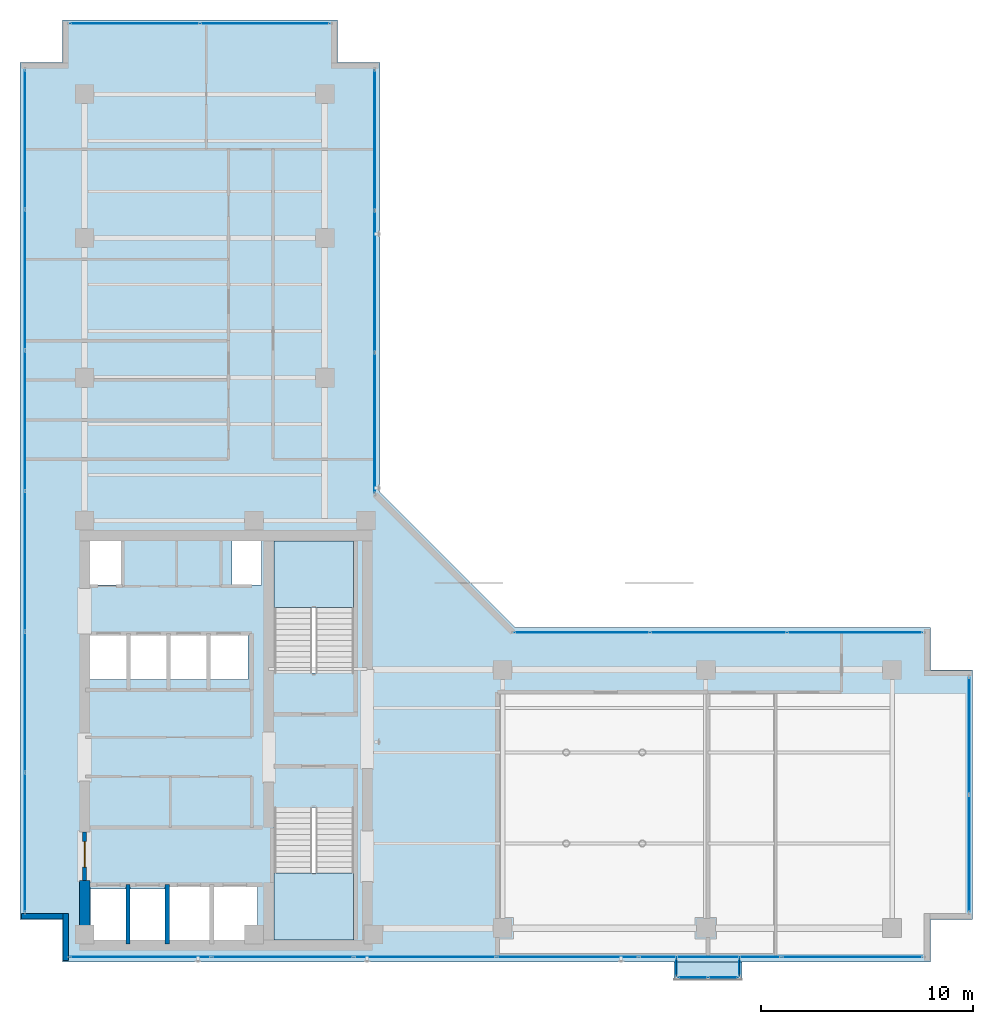
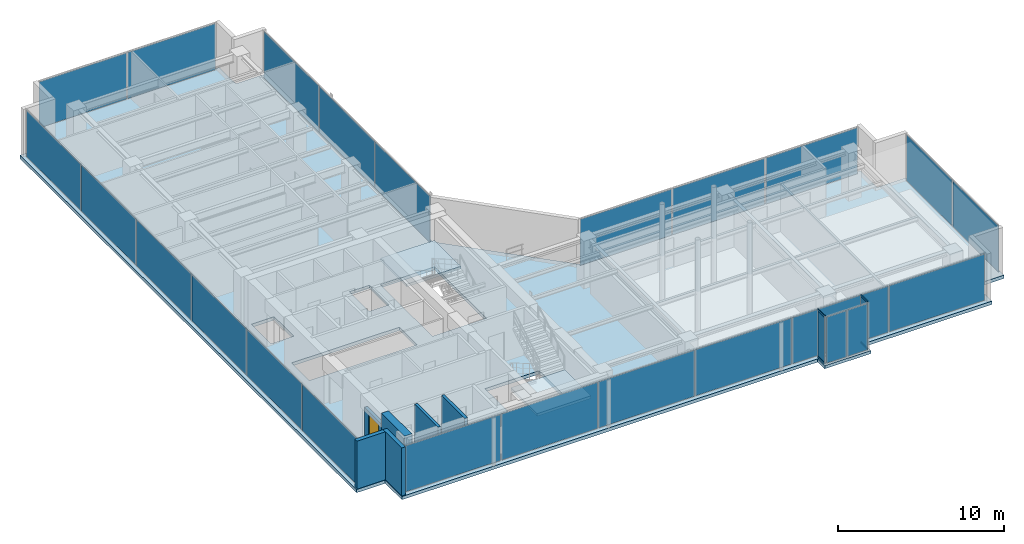
# One storey, part 24 of 32: 26 plates, 6 walls, 4 members, 4 slabs, 1 door, 1 opening, 11 elements without a shape of their own.
"""IFC4 building model written with IfcOpenShell, lengths in metres."""

import ifcopenshell
import ifcopenshell.guid

model = None  # the IFC model being written
_history = None  # IfcOwnerHistory: only IFC2X3 demands one
_inside = {}  # id of a spatial element -> (the spatial element, [elements in it])
_under = {}  # id of a project, library or spatial element -> (it, [spatial elements below it])
_declared = {}  # id of a project -> (the project, [libraries it declares])
_typed = {}  # id of a type object -> (the type object, [elements of that type])
_made_of = {}  # id of a material, layer set ... -> (it, [elements and type objects made of it])


def new_model(schema):
    """Start an empty IFC model of exactly this schema.

    Asked for "IFC4X3", IfcOpenShell would pick the latest addendum, in which some entities
    have other attributes; the version numbers below select the first issue.
    IFC2X3 requires an IfcOwnerHistory on every rooted entity: one is made here for all.
    """
    global model, _history
    if schema == "IFC4X3":
        model = ifcopenshell.file(schema_version=(4, 3, 0, 0))
    else:
        model = ifcopenshell.file(schema=schema)
    _inside.clear()
    _under.clear()
    _declared.clear()
    _typed.clear()
    _made_of.clear()
    _history = None
    if model.schema == "IFC2X3":
        org = make("IfcOrganization", Name="unknown")
        user = make(
            "IfcPersonAndOrganization",
            ThePerson=make("IfcPerson", FamilyName="unknown"),
            TheOrganization=org,
        )
        app = make(
            "IfcApplication",
            ApplicationDeveloper=org,
            Version="unknown",
            ApplicationFullName="unknown",
            ApplicationIdentifier="unknown",
        )
        _history = make(
            "IfcOwnerHistory",
            OwningUser=user,
            OwningApplication=app,
            ChangeAction="ADDED",
            CreationDate=0,
        )
    return model


def make(cls, **values):
    """One entity of the class cls with the attributes given. An attribute that is None is left unset."""
    return model.create_entity(
        cls, **{name: value for name, value in values.items() if value is not None}
    )


def rooted(cls, **values):
    """An entity with a GlobalId (a new one), such as an element, a storey or a relation."""
    return make(cls, GlobalId=ifcopenshell.guid.new(), OwnerHistory=_history, **values)


def si_unit(unit_type, name, prefix=None):
    """IfcSIUnit, for example si_unit("LENGTHUNIT", "METRE", prefix="MILLI")."""
    return make("IfcSIUnit", UnitType=unit_type, Prefix=prefix, Name=name)


def assignment(units):
    """IfcUnitAssignment: the units of a project."""
    return None if units is None else make("IfcUnitAssignment", Units=units)


def point(xyz):
    """IfcCartesianPoint."""
    return None if xyz is None else make("IfcCartesianPoint", Coordinates=xyz)


def direction(xyz):
    """IfcDirection."""
    return None if xyz is None else make("IfcDirection", DirectionRatios=xyz)


def frame(location, z_axis=None, x_axis=None):
    """IfcAxis2Placement3D, a coordinate frame: its origin and axes. An axis left out is left unset."""
    return make(
        "IfcAxis2Placement3D",
        Location=point(location),
        Axis=direction(z_axis),
        RefDirection=direction(x_axis),
    )


def frame_2d(location, x_axis=None):
    """IfcAxis2Placement2D, a coordinate frame in the plane: its origin and x axis."""
    return make(
        "IfcAxis2Placement2D", Location=point(location), RefDirection=direction(x_axis)
    )


def origin():
    """The frame at (0, 0, 0) with its axes left unset."""
    return frame((0.0, 0.0, 0.0))


def origin_with_axes():
    """The frame at (0, 0, 0) with the z axis (0, 0, 1) and the x axis (1, 0, 0) written out."""
    return frame((0.0, 0.0, 0.0), z_axis=(0.0, 0.0, 1.0), x_axis=(1.0, 0.0, 0.0))


def origin_2d():
    """The frame at (0, 0) in the plane with its x axis left unset."""
    return frame_2d((0.0, 0.0))


def place(relative_to, where):
    """IfcLocalPlacement: puts the frame where relative to a parent placement (None: the world)."""
    return make(
        "IfcLocalPlacement", PlacementRelTo=relative_to, RelativePlacement=where
    )


def context(
    kind, dimensions, precision=None, world=None, true_north=None, identifier=None
):
    """IfcGeometricRepresentationContext, for example the 3D "Model" context."""
    return make(
        "IfcGeometricRepresentationContext",
        ContextIdentifier=identifier,
        ContextType=kind,
        CoordinateSpaceDimension=dimensions,
        Precision=precision,
        WorldCoordinateSystem=world,
        TrueNorth=true_north,
    )


def subcontext(parent, identifier, kind, view, scale=None):
    """IfcGeometricRepresentationSubContext, for example "Body" below "Model"."""
    return make(
        "IfcGeometricRepresentationSubContext",
        ContextIdentifier=identifier,
        ContextType=kind,
        ParentContext=parent,
        TargetScale=scale,
        TargetView=view,
    )


def project(units=None, contexts=None):
    """IfcProject with its units and contexts."""
    return rooted(
        "IfcProject",
        Name="project",
        RepresentationContexts=contexts,
        UnitsInContext=assignment(units),
    )


def spatial(cls, under=None, at=None, **own):
    """A site, building, storey or space (cls), placed at a placement, below another one or the project."""
    s = rooted(cls, ObjectPlacement=at, **own)
    if under is not None:
        _under.setdefault(under.id(), (under, []))[1].append(s)
    return s


def polyline(points):
    """IfcPolyline through the points."""
    return make("IfcPolyline", Points=[point(p) for p in points])


def profile(cls, at=None, kind="AREA", **sizes):
    """A parametric profile (cls). Its sizes go by their IFC names, for example OverallWidth=200.0."""
    return make(cls, ProfileType=kind, Position=at, **sizes)


def rectangle(**sizes):
    """IfcRectangleProfileDef."""
    return profile("IfcRectangleProfileDef", **sizes)


def hollow_rectangle(**sizes):
    """IfcRectangleHollowProfileDef."""
    return profile("IfcRectangleHollowProfileDef", **sizes)


def outline(outer, holes=None, kind="AREA"):
    """IfcArbitraryClosedProfileDef: a profile drawn as a closed curve; with holes, ...WithVoids."""
    if holes is None:
        return make("IfcArbitraryClosedProfileDef", ProfileType=kind, OuterCurve=outer)
    return make(
        "IfcArbitraryProfileDefWithVoids",
        ProfileType=kind,
        OuterCurve=outer,
        InnerCurves=holes,
    )


def extrude(swept, where, along, depth):
    """IfcExtrudedAreaSolid: the profile swept, set in the frame where, extruded along a direction by depth."""
    return make(
        "IfcExtrudedAreaSolid",
        SweptArea=swept,
        Position=where,
        ExtrudedDirection=direction(along),
        Depth=depth,
    )


def shape(context_of_items, identifier, shape_type, items):
    """IfcShapeRepresentation: the items that make up one representation, for example the "Body"."""
    return make(
        "IfcShapeRepresentation",
        ContextOfItems=context_of_items,
        RepresentationIdentifier=identifier,
        RepresentationType=shape_type,
        Items=items,
    )


def source(mapping_origin, context_of_items, identifier, shape_type, items):
    """IfcRepresentationMap: a shape defined once, which mapped items show again and again."""
    return make(
        "IfcRepresentationMap",
        MappingOrigin=mapping_origin,
        MappedRepresentation=shape(context_of_items, identifier, shape_type, items),
    )


def transform(
    local_origin,
    x_axis=None,
    y_axis=None,
    z_axis=None,
    scale=None,
    scale2=None,
    scale3=None,
    uniform=True,
):
    """IfcCartesianTransformationOperator3D, or its non-uniform kind. x_axis, y_axis, z_axis: its Axis1, 2, 3."""
    if uniform:
        return make(
            "IfcCartesianTransformationOperator3D",
            Axis1=direction(x_axis),
            Axis2=direction(y_axis),
            LocalOrigin=point(local_origin),
            Scale=scale,
            Axis3=direction(z_axis),
        )
    return make(
        "IfcCartesianTransformationOperator3DnonUniform",
        Axis1=direction(x_axis),
        Axis2=direction(y_axis),
        LocalOrigin=point(local_origin),
        Scale=scale,
        Axis3=direction(z_axis),
        Scale2=scale2,
        Scale3=scale3,
    )


def mapped(mapping_source, mapping_target):
    """IfcMappedItem: shows the shape of a source again, moved by a transform."""
    return make(
        "IfcMappedItem", MappingSource=mapping_source, MappingTarget=mapping_target
    )


def material(Name=None, Category=None):
    """IfcMaterial."""
    return make("IfcMaterial", Name=Name, Category=Category)


def layer(
    of_material, thickness, ventilated=None, Name=None, Category=None, Priority=None
):
    """IfcMaterialLayer: one layer of a wall or slab, of a material (None: an air gap)."""
    return make(
        "IfcMaterialLayer",
        Material=of_material,
        LayerThickness=thickness,
        IsVentilated=ventilated,
        Name=Name,
        Category=Category,
        Priority=Priority,
    )


def layer_set(layers, Name=None):
    """IfcMaterialLayerSet."""
    return make("IfcMaterialLayerSet", MaterialLayers=layers, LayerSetName=Name)


def material_profile(
    of_material, cross_section, Name=None, Category=None, Priority=None
):
    """IfcMaterialProfile: a cross section and its material."""
    return make(
        "IfcMaterialProfile",
        Name=Name,
        Material=of_material,
        Profile=cross_section,
        Priority=Priority,
        Category=Category,
    )


def profile_set(profiles, Name=None, composite=None):
    """IfcMaterialProfileSet."""
    return make(
        "IfcMaterialProfileSet",
        Name=Name,
        MaterialProfiles=profiles,
        CompositeProfile=composite,
    )


def made_of(thing, what):
    """Note that an element or type object is made of a material, layer set ...; save() writes the relation."""
    if what is not None:
        _made_of.setdefault(what.id(), (what, []))[1].append(thing)
    return thing


def type_object(cls, material=None, **own):
    """A type object (cls), such as IfcWallType, which elements share."""
    return made_of(rooted(cls, **own), material)


def element(
    cls,
    number,
    at=None,
    inside=None,
    cuts=None,
    type_object=None,
    material=None,
    context=None,
    identifier="Body",
    shape_type=None,
    held_by="IfcProductDefinitionShape",
    body=None,
    shapes=None,
    **own,
):
    """One element of the class cls, such as IfcWall. Its Tag is "e" and its number.

    at: its placement. inside: the storey or other place that contains it. cuts: it is an
    opening in that element (IfcRelVoidsElement). A single representation is given by context,
    identifier, shape_type and body (its items); several are given by shapes. held_by: the class
    of the entity that holds the representations. save() writes the other relations.
    """
    e = rooted(cls, Tag="e%d" % number, ObjectPlacement=at, **own)
    if body is not None:
        shapes = [shape(context, identifier, shape_type, body)]
    if shapes is not None:
        e.Representation = make(held_by, Representations=shapes)
    if inside is not None:
        _inside.setdefault(inside.id(), (inside, []))[1].append(e)
    if cuts is not None:
        rooted(
            "IfcRelVoidsElement", RelatingBuildingElement=cuts, RelatedOpeningElement=e
        )
    if type_object is not None:
        _typed.setdefault(type_object.id(), (type_object, []))[1].append(e)
    return made_of(e, material)


def fill(opening, filler):
    """IfcRelFillsElement: the door or window that sits in an opening."""
    return rooted(
        "IfcRelFillsElement",
        RelatingOpeningElement=opening,
        RelatedBuildingElement=filler,
    )


def aggregate(whole, parts):
    """IfcRelAggregates: a whole, such as a stair, and the parts it consists of."""
    return rooted("IfcRelAggregates", RelatingObject=whole, RelatedObjects=parts)


def save(model, path):
    """Write the relations noted so far, then the file.

    IfcRelAggregates (storeys below a building ...), IfcRelContainedInSpatialStructure (elements
    in a storey), IfcRelDefinesByType, IfcRelAssociatesMaterial and IfcRelDeclares: one each for
    every whole, place, type object, material and project.
    """
    for whole, parts in _under.values():
        aggregate(whole, parts)
    for where, things in _inside.values():
        rooted(
            "IfcRelContainedInSpatialStructure",
            RelatedElements=things,
            RelatingStructure=where,
        )
    for kind, things in _typed.values():
        rooted("IfcRelDefinesByType", RelatedObjects=things, RelatingType=kind)
    for what, things in _made_of.values():
        rooted("IfcRelAssociatesMaterial", RelatedObjects=things, RelatingMaterial=what)
    for by, libraries in _declared.values():
        rooted("IfcRelDeclares", RelatingContext=by, RelatedDefinitions=libraries)
    model.write(path)


model = new_model("IFC4")

# Units and contexts
model_context = context("Model", 3, precision=1e-05, world=origin(), true_north=direction((0.0, 1.0)))
body_context = subcontext(model_context, "Body", "Model", "MODEL_VIEW")
ifc_project = project(units=[si_unit("LENGTHUNIT", "METRE"), si_unit("AREAUNIT", "SQUARE_METRE"), si_unit("VOLUMEUNIT", "CUBIC_METRE"), si_unit("PLANEANGLEUNIT", "RADIAN"), si_unit("MASSUNIT", "GRAM", prefix="KILO")], contexts=[model_context])

# Site, building, storey
site_placement = place(None, origin())
site = spatial("IfcSite", under=ifc_project, at=site_placement, CompositionType="ELEMENT")
building_placement = place(site_placement, origin())
building = spatial("IfcBuilding", under=site, at=building_placement, Name="Kolvaren Waterfront Exchange", CompositionType="ELEMENT")
storey_placement = place(building_placement, frame((0.0, 0.0, 348.10009765625)))
storey = spatial("IfcBuildingStorey", under=building, at=storey_placement, Name="L89", CompositionType="ELEMENT", Elevation=348.10009765625)

# Curtain wall, members
ifc_material_1 = material(Name="Anodised bronze aluminium 6063-T6", Category="aluminium")
ifc_layer_1 = layer(ifc_material_1, 0.219970703125, Name="Anodised bronze aluminium 6063-T6")
ifc_layer_set_1 = layer_set([ifc_layer_1], Name="Anodised bronze aluminium 6063-T6")
curtain_wall_type_1 = type_object("IfcCurtainWallType", Name="ARC-CW-SYS3", PredefinedType="USERDEFINED", material=ifc_layer_set_1)
curtain_wall_1_placement = place(storey_placement, origin())
curtain_wall_1 = element("IfcCurtainWall", 1, at=curtain_wall_1_placement, inside=storey, type_object=curtain_wall_type_1, Name="L89 stick curtain wall CW3 (CW-L89-BOX-W)", ObjectType="STICK CURTAIN WALL", PredefinedType="USERDEFINED")
ifc_material_profile = material_profile(ifc_material_1, hollow_rectangle(XDim=0.06494140625, YDim=0.1298828125, WallThickness=0.00390625, at=origin_2d()), Name="ALU-TRN-130x65x4")
ifc_profile_set = profile_set([ifc_material_profile], Name="Anodised bronze aluminium 6063-T6")
member_type = type_object("IfcMemberType", Name="ARC-CWT-130", PredefinedType="USERDEFINED", material=ifc_profile_set)
shared_shape_1 = source(origin_with_axes(), body_context, "Body", "SweptSolid", [
    extrude(hollow_rectangle(XDim=0.06494140625, YDim=0.1298828125, WallThickness=0.00390625, at=origin_2d()), origin(), (0.0, 0.0, 1.0), 0.829833984375),
])
member_1_placement = place(storey_placement, frame((35.409912109375, 3.764892578125, 0.032470703125), z_axis=(0.0, -1.0, 0.0), x_axis=(1.0, 0.0, 0.0)))
member_1 = element("IfcMember", 2, at=member_1_placement, type_object=member_type, Name="CW3 transom 1.1", ObjectType="TRANSOM", PredefinedType="USERDEFINED", context=body_context, shape_type="MappedRepresentation", body=[
    mapped(shared_shape_1, transform((0.0, 0.0, 0.0), x_axis=(1.0, 0.0, 0.0), y_axis=(0.0, 1.0, 0.0), z_axis=(0.0, 0.0, 1.0), scale=1.0)),
])
member_2_placement = place(storey_placement, frame((35.409912109375, 3.764892578125, 3.4873046875), z_axis=(0.0, -1.0, 0.0), x_axis=(1.0, 0.0, 0.0)))
member_2 = element("IfcMember", 3, at=member_2_placement, type_object=member_type, Name="CW3 transom 1.2", ObjectType="TRANSOM", PredefinedType="USERDEFINED", context=body_context, shape_type="MappedRepresentation", body=[
    mapped(shared_shape_1, transform((0.0, 0.0, 0.0), x_axis=(1.0, 0.0, 0.0), y_axis=(0.0, 1.0, 0.0), z_axis=(0.0, 0.0, 1.0), scale=1.0)),
])

curtain_wall_2_placement = place(storey_placement, origin())
curtain_wall_2 = element("IfcCurtainWall", 4, at=curtain_wall_2_placement, inside=storey, type_object=curtain_wall_type_1, Name="L89 stick curtain wall CW3 (CW-L89-BOX-E)", ObjectType="STICK CURTAIN WALL", PredefinedType="USERDEFINED")
member_3_placement = place(storey_placement, frame((38.389892578125, 2.93505859375, 0.032470703125), z_axis=(0.0, 1.0, 0.0), x_axis=(-1.0, 0.0, 0.0)))
member_3 = element("IfcMember", 5, at=member_3_placement, type_object=member_type, Name="CW3 transom 1.1", ObjectType="TRANSOM", PredefinedType="USERDEFINED", context=body_context, shape_type="MappedRepresentation", body=[
    mapped(shared_shape_1, transform((0.0, 0.0, 0.0), x_axis=(1.0, 0.0, 0.0), y_axis=(0.0, 1.0, 0.0), z_axis=(0.0, 0.0, 1.0), scale=1.0)),
])
member_4_placement = place(storey_placement, frame((38.389892578125, 2.93505859375, 3.4873046875), z_axis=(0.0, 1.0, 0.0), x_axis=(-1.0, 0.0, 0.0)))
member_4 = element("IfcMember", 6, at=member_4_placement, type_object=member_type, Name="CW3 transom 1.2", ObjectType="TRANSOM", PredefinedType="USERDEFINED", context=body_context, shape_type="MappedRepresentation", body=[
    mapped(shared_shape_1, transform((0.0, 0.0, 0.0), x_axis=(1.0, 0.0, 0.0), y_axis=(0.0, 1.0, 0.0), z_axis=(0.0, 0.0, 1.0), scale=1.0)),
])

# Stair, slab
ifc_material_2 = material(Name="Concrete C40/50", Category="concrete")
stair_type = type_object("IfcStairType", Name="ARC-STAIR-3900", PredefinedType="HALF_TURN_STAIR", material=ifc_material_2)
stair_1_placement = place(storey_placement, origin())
stair_1 = element("IfcStair", 7, at=stair_1_placement, inside=storey, type_object=stair_type, Name="L89 Smoke-proof exit stair ST1", PredefinedType="HALF_TURN_STAIR")
ifc_layer_2 = layer(ifc_material_2, 0.199951171875, Name="Concrete C40/50")
ifc_layer_set_2 = layer_set([ifc_layer_2], Name="Concrete C40/50")
slab_type_1 = type_object("IfcSlabType", Name="STR-LANDING-200", PredefinedType="LANDING", material=ifc_layer_set_2)
slab_1_placement = place(storey_placement, frame((0.0, 0.0, 1.75)))
slab_1 = element("IfcSlab", 8, at=slab_1_placement, type_object=slab_type_1, Name="ST1 landing 1", PredefinedType="LANDING", context=body_context, shape_type="SweptSolid", body=[
    extrude(outline(polyline([(16.39990234375, 7.81005859375), (16.39990234375, 4.64990234375), (20.159912109375, 4.64990234375), (20.159912109375, 7.81005859375), (16.39990234375, 7.81005859375)])), origin(), (0.0, 0.0, 1.0), 0.199951171875),
])
aggregate(stair_1, [slab_1])

stair_2_placement = place(storey_placement, origin())
stair_2 = element("IfcStair", 9, at=stair_2_placement, inside=storey, type_object=stair_type, Name="L89 Smoke-proof exit stair ST2", PredefinedType="HALF_TURN_STAIR")
slab_2_placement = place(storey_placement, frame((0.0, 0.0, 1.75)))
slab_2 = element("IfcSlab", 10, at=slab_2_placement, type_object=slab_type_1, Name="ST2 landing 1", PredefinedType="LANDING", context=body_context, shape_type="SweptSolid", body=[
    extrude(outline(polyline([(20.159912109375, 20.340087890625), (20.159912109375, 23.5), (16.39990234375, 23.5), (16.39990234375, 20.340087890625), (20.159912109375, 20.340087890625)])), origin(), (0.0, 0.0, 1.0), 0.199951171875),
])
aggregate(stair_2, [slab_2])

# Slabs
ifc_layer_3 = layer(ifc_material_2, 0.239990234375, Name="Concrete C40/50")
ifc_layer_set_3 = layer_set([ifc_layer_3], Name="Concrete C40/50")
slab_type_2 = type_object("IfcSlabType", Name="STR-SLAB-240", PredefinedType="FLOOR", material=ifc_layer_set_3)
slab_3_placement = place(storey_placement, frame((0.0, 0.0, -0.239990234375)))
element("IfcSlab", 11, at=slab_3_placement, inside=storey, type_object=slab_type_2, Name="L89 structural floor slab", PredefinedType="FLOOR", context=body_context, shape_type="SweptSolid", body=[
    extrude(outline(polyline([(6.39990234375, 3.60009765625), (47.39990234375, 3.60009765625), (47.39990234375, 5.60009765625), (49.39990234375, 5.60009765625), (49.39990234375, 17.39990234375), (47.39990234375, 17.39990234375), (47.39990234375, 19.39990234375), (27.800048828125, 19.39990234375), (21.39990234375, 25.800048828125), (21.39990234375, 46.10009765625), (19.39990234375, 46.10009765625), (19.39990234375, 48.10009765625), (6.39990234375, 48.10009765625), (6.39990234375, 46.10009765625), (4.39990234375, 46.10009765625), (4.39990234375, 5.60009765625), (6.39990234375, 5.60009765625), (6.39990234375, 3.60009765625)]), holes=[polyline([(11.320068359375, 7.260009765625), (15.610107421875, 7.260009765625), (15.610107421875, 4.5400390625), (7.719970703125, 4.5400390625), (7.719970703125, 7.06005859375), (11.320068359375, 7.06005859375), (11.320068359375, 7.260009765625)]), polyline([(20.159912109375, 10.89990234375), (20.159912109375, 4.64990234375), (16.39990234375, 4.64990234375), (16.39990234375, 10.89990234375), (20.159912109375, 10.89990234375)]), polyline([(7.669921875, 19.06005859375), (15.159912109375, 19.06005859375), (15.159912109375, 16.93994140625), (7.669921875, 16.93994140625), (7.669921875, 19.06005859375)]), polyline([(16.39990234375, 17.25), (16.39990234375, 23.5), (20.159912109375, 23.5), (20.159912109375, 17.25), (16.39990234375, 17.25)]), polyline([(7.60009765625, 23.780029296875), (9.179931640625, 23.780029296875), (9.179931640625, 21.419921875), (7.60009765625, 21.419921875), (7.60009765625, 23.780029296875)]), polyline([(14.419921875, 23.780029296875), (15.800048828125, 23.780029296875), (15.800048828125, 21.419921875), (14.419921875, 21.419921875), (14.419921875, 23.780029296875)])]), origin(), (0.0, 0.0, 1.0), 0.239990234375),
])
ifc_layer_4 = layer(ifc_material_2, 0.219970703125, Name="Concrete C40/50")
ifc_layer_set_4 = layer_set([ifc_layer_4], Name="Concrete C40/50")
slab_type_3 = type_object("IfcSlabType", Name="STR-TERR-220", PredefinedType="FLOOR", material=ifc_layer_set_4)
slab_4_placement = place(storey_placement, frame((0.0, 0.0, -0.22021484375)))
element("IfcSlab", 12, at=slab_4_placement, inside=storey, type_object=slab_type_3, Name="L89 projecting bay-box floor strip", PredefinedType="FLOOR", context=body_context, shape_type="SweptSolid", body=[
    extrude(outline(polyline([(35.300048828125, 2.75), (38.5, 2.75), (38.5, 3.60009765625), (35.300048828125, 3.60009765625), (35.300048828125, 2.75)])), origin(), (0.0, 0.0, 1.0), 0.22021484375),
])

# Plate
ifc_material_3 = material(Name="Bronze tinted bay-box vision glass", Category="aluminium")
ifc_layer_5 = layer(ifc_material_3, 0.02392578125, Name="Bronze tinted bay-box vision glass")
ifc_layer_set_5 = layer_set([ifc_layer_5], Name="Bronze tinted bay-box vision glass")
plate_type_1 = type_object("IfcPlateType", Name="ARC-CWP-24", PredefinedType="CURTAIN_PANEL", material=ifc_layer_set_5)
shared_shape_2 = source(origin_with_axes(), body_context, "Body", "SweptSolid", [
    extrude(rectangle(XDim=0.830078125, YDim=0.02392578125, at=origin_2d()), origin(), (0.0, 0.0, 1.0), 3.389892578125),
])
plate_1_placement = place(storey_placement, frame((35.409912109375, 3.35009765625, 0.06494140625), z_axis=(0.0, 0.0, 1.0), x_axis=(0.0, -1.0, 0.0)))
plate_1 = element("IfcPlate", 13, at=plate_1_placement, type_object=plate_type_1, Name="CW3 panel 1.1", PredefinedType="CURTAIN_PANEL", context=body_context, shape_type="MappedRepresentation", body=[
    mapped(shared_shape_2, transform((0.0, 0.0, 0.0), x_axis=(1.0, 0.0, 0.0), y_axis=(0.0, 1.0, 0.0), z_axis=(0.0, 0.0, 1.0), scale=1.0)),
])

aggregate(curtain_wall_1, [member_1, member_2, plate_1])

plate_2_placement = place(storey_placement, frame((38.389892578125, 3.35009765625, 0.06494140625), z_axis=(0.0, 0.0, 1.0), x_axis=(0.0, 1.0, 0.0)))
plate_2 = element("IfcPlate", 14, at=plate_2_placement, type_object=plate_type_1, Name="CW3 panel 1.1", PredefinedType="CURTAIN_PANEL", context=body_context, shape_type="MappedRepresentation", body=[
    mapped(shared_shape_2, transform((0.0, 0.0, 0.0), x_axis=(1.0, 0.0, 0.0), y_axis=(0.0, 1.0, 0.0), z_axis=(0.0, 0.0, 1.0), scale=1.0)),
])

aggregate(curtain_wall_2, [member_3, member_4, plate_2])

# Curtain wall, plates
curtain_wall_3_placement = place(storey_placement, origin())
curtain_wall_3 = element("IfcCurtainWall", 15, at=curtain_wall_3_placement, inside=storey, type_object=curtain_wall_type_1, Name="L89 stick curtain wall CW3 (CW-L89-BOX)", ObjectType="STICK CURTAIN WALL", PredefinedType="USERDEFINED")
shared_shape_3 = source(origin_with_axes(), body_context, "Body", "SweptSolid", [
    extrude(rectangle(XDim=1.37744140625, YDim=0.02392578125, at=origin_2d()), origin(), (0.0, 0.0, 1.0), 3.389892578125),
])
plate_3_placement = place(storey_placement, frame((36.173828125, 2.860107421875, 0.06494140625), z_axis=(0.0, 0.0, 1.0), x_axis=(1.0, 0.0, 0.0)))
plate_3 = element("IfcPlate", 16, at=plate_3_placement, type_object=plate_type_1, Name="CW3 panel 1.1", PredefinedType="CURTAIN_PANEL", context=body_context, shape_type="MappedRepresentation", body=[
    mapped(shared_shape_3, transform((0.0, 0.0, 0.0), x_axis=(1.0, 0.0, 0.0), y_axis=(0.0, 1.0, 0.0), z_axis=(0.0, 0.0, 1.0), scale=1.0)),
])
plate_4_placement = place(storey_placement, frame((37.626220703125, 2.860107421875, 0.06494140625), z_axis=(0.0, 0.0, 1.0), x_axis=(1.0, 0.0, 0.0)))
plate_4 = element("IfcPlate", 17, at=plate_4_placement, type_object=plate_type_1, Name="CW3 panel 2.1", PredefinedType="CURTAIN_PANEL", context=body_context, shape_type="MappedRepresentation", body=[
    mapped(shared_shape_3, transform((0.0, 0.0, 0.0), x_axis=(1.0, 0.0, 0.0), y_axis=(0.0, 1.0, 0.0), z_axis=(0.0, 0.0, 1.0), scale=1.0)),
])
aggregate(curtain_wall_3, [plate_3, plate_4])

ifc_layer_6 = layer(ifc_material_1, 0.219970703125, Name="Anodised bronze aluminium 6063-T6")
ifc_layer_set_6 = layer_set([ifc_layer_6], Name="Anodised bronze aluminium 6063-T6")
curtain_wall_type_2 = type_object("IfcCurtainWallType", Name="ARC-CW-SYS5", PredefinedType="USERDEFINED", material=ifc_layer_set_6)
curtain_wall_4_placement = place(storey_placement, origin())
curtain_wall_4 = element("IfcCurtainWall", 18, at=curtain_wall_4_placement, inside=storey, type_object=curtain_wall_type_2, Name="L89 stick curtain wall CW5 (CW-L89-S)", ObjectType="STICK CURTAIN WALL", PredefinedType="USERDEFINED")
ifc_material_4 = material(Name="Crown lantern clear solar glass", Category="glass")
ifc_layer_7 = layer(ifc_material_4, 0.030029296875, Name="Crown lantern clear solar glass")
ifc_layer_set_7 = layer_set([ifc_layer_7], Name="Crown lantern clear solar glass")
plate_type_2 = type_object("IfcPlateType", Name="ARC-CWP-30", PredefinedType="CURTAIN_PANEL", material=ifc_layer_set_7)
shared_shape_4 = source(origin_with_axes(), body_context, "Body", "SweptSolid", [
    extrude(rectangle(XDim=6.620849609375, YDim=0.030029296875, at=origin_2d()), origin(), (0.0, 0.0, 1.0), 3.389892578125),
])
plate_5_placement = place(storey_placement, frame((10.08544921875, 3.840087890625, 0.06494140625), z_axis=(0.0, 0.0, 1.0), x_axis=(1.0, 0.0, 0.0)))
plate_5 = element("IfcPlate", 19, at=plate_5_placement, type_object=plate_type_2, Name="CW5 panel 1.1", PredefinedType="CURTAIN_PANEL", context=body_context, shape_type="MappedRepresentation", body=[
    mapped(shared_shape_4, transform((0.0, 0.0, 0.0), x_axis=(1.0, 0.0, 0.0), y_axis=(0.0, 1.0, 0.0), z_axis=(0.0, 0.0, 1.0), scale=1.0)),
])
plate_6_placement = place(storey_placement, frame((43.714599609375, 3.840087890625, 0.06494140625), z_axis=(0.0, 0.0, 1.0), x_axis=(1.0, 0.0, 0.0)))
plate_6 = element("IfcPlate", 20, at=plate_6_placement, type_object=plate_type_2, Name="CW5 panel 6.1", PredefinedType="CURTAIN_PANEL", context=body_context, shape_type="MappedRepresentation", body=[
    mapped(shared_shape_4, transform((0.0, 0.0, 0.0), x_axis=(1.0, 0.0, 0.0), y_axis=(0.0, 1.0, 0.0), z_axis=(0.0, 0.0, 1.0), scale=1.0)),
])
shared_shape_5 = source(origin_with_axes(), body_context, "Body", "SweptSolid", [
    extrude(rectangle(XDim=6.658447265625, YDim=0.030029296875, at=origin_2d()), origin(), (0.0, 0.0, 1.0), 3.389892578125),
])
plate_7_placement = place(storey_placement, frame((16.800048828125, 3.840087890625, 0.06494140625), z_axis=(0.0, 0.0, 1.0), x_axis=(1.0, 0.0, 0.0)))
plate_7 = element("IfcPlate", 21, at=plate_7_placement, type_object=plate_type_2, Name="CW5 panel 2.1", PredefinedType="CURTAIN_PANEL", context=body_context, shape_type="MappedRepresentation", body=[
    mapped(shared_shape_5, transform((0.0, 0.0, 0.0), x_axis=(1.0, 0.0, 0.0), y_axis=(0.0, 1.0, 0.0), z_axis=(0.0, 0.0, 1.0), scale=1.0)),
])
plate_8_placement = place(storey_placement, frame((23.533447265625, 3.840087890625, 0.06494140625), z_axis=(0.0, 0.0, 1.0), x_axis=(1.0, 0.0, 0.0)))
plate_8 = element("IfcPlate", 22, at=plate_8_placement, type_object=plate_type_2, Name="CW5 panel 3.1", PredefinedType="CURTAIN_PANEL", context=body_context, shape_type="MappedRepresentation", body=[
    mapped(shared_shape_5, transform((0.0, 0.0, 0.0), x_axis=(1.0, 0.0, 0.0), y_axis=(0.0, 1.0, 0.0), z_axis=(0.0, 0.0, 1.0), scale=1.0)),
])
plate_9_placement = place(storey_placement, frame((30.2666015625, 3.840087890625, 0.06494140625), z_axis=(0.0, 0.0, 1.0), x_axis=(1.0, 0.0, 0.0)))
plate_9 = element("IfcPlate", 23, at=plate_9_placement, type_object=plate_type_2, Name="CW5 panel 4.1", PredefinedType="CURTAIN_PANEL", context=body_context, shape_type="MappedRepresentation", body=[
    mapped(shared_shape_5, transform((0.0, 0.0, 0.0), x_axis=(1.0, 0.0, 0.0), y_axis=(0.0, 1.0, 0.0), z_axis=(0.0, 0.0, 1.0), scale=1.0)),
])
plate_10_placement = place(storey_placement, frame((37.0, 3.840087890625, 0.06494140625), z_axis=(0.0, 0.0, 1.0), x_axis=(1.0, 0.0, 0.0)))
plate_10 = element("IfcPlate", 24, at=plate_10_placement, type_object=plate_type_2, Name="CW5 panel 5.1", PredefinedType="CURTAIN_PANEL", context=body_context, shape_type="MappedRepresentation", body=[
    mapped(shared_shape_5, transform((0.0, 0.0, 0.0), x_axis=(1.0, 0.0, 0.0), y_axis=(0.0, 1.0, 0.0), z_axis=(0.0, 0.0, 1.0), scale=1.0)),
])
aggregate(curtain_wall_4, [plate_5, plate_7, plate_8, plate_9, plate_10, plate_6])

curtain_wall_5_placement = place(storey_placement, origin())
curtain_wall_5 = element("IfcCurtainWall", 25, at=curtain_wall_5_placement, inside=storey, type_object=curtain_wall_type_2, Name="L89 stick curtain wall CW5 (CW-L89-W)", ObjectType="STICK CURTAIN WALL", PredefinedType="USERDEFINED")
shared_shape_6 = source(origin_with_axes(), body_context, "Body", "SweptSolid", [
    extrude(rectangle(XDim=6.53759765625, YDim=0.030029296875, at=origin_2d()), origin(), (0.0, 0.0, 1.0), 3.389892578125),
])
plate_11_placement = place(storey_placement, frame((4.639892578125, 9.24365234375, 0.06494140625), z_axis=(0.0, 0.0, 1.0), x_axis=(0.0, 1.0, 0.0)))
plate_11 = element("IfcPlate", 26, at=plate_11_placement, type_object=plate_type_2, Name="CW5 panel 1.1", PredefinedType="CURTAIN_PANEL", context=body_context, shape_type="MappedRepresentation", body=[
    mapped(shared_shape_6, transform((0.0, 0.0, 0.0), x_axis=(1.0, 0.0, 0.0), y_axis=(0.0, 1.0, 0.0), z_axis=(0.0, 0.0, 1.0), scale=1.0)),
])
plate_12_placement = place(storey_placement, frame((4.639892578125, 42.456298828125, 0.06494140625), z_axis=(0.0, 0.0, 1.0), x_axis=(0.0, 1.0, 0.0)))
plate_12 = element("IfcPlate", 27, at=plate_12_placement, type_object=plate_type_2, Name="CW5 panel 6.1", PredefinedType="CURTAIN_PANEL", context=body_context, shape_type="MappedRepresentation", body=[
    mapped(shared_shape_6, transform((0.0, 0.0, 0.0), x_axis=(1.0, 0.0, 0.0), y_axis=(0.0, 1.0, 0.0), z_axis=(0.0, 0.0, 1.0), scale=1.0)),
])
shared_shape_7 = source(origin_with_axes(), body_context, "Body", "SweptSolid", [
    extrude(rectangle(XDim=6.574951171875, YDim=0.030029296875, at=origin_2d()), origin(), (0.0, 0.0, 1.0), 3.389892578125),
])
plate_13_placement = place(storey_placement, frame((4.639892578125, 15.875, 0.06494140625), z_axis=(0.0, 0.0, 1.0), x_axis=(0.0, 1.0, 0.0)))
plate_13 = element("IfcPlate", 28, at=plate_13_placement, type_object=plate_type_2, Name="CW5 panel 2.1", PredefinedType="CURTAIN_PANEL", context=body_context, shape_type="MappedRepresentation", body=[
    mapped(shared_shape_7, transform((0.0, 0.0, 0.0), x_axis=(1.0, 0.0, 0.0), y_axis=(0.0, 1.0, 0.0), z_axis=(0.0, 0.0, 1.0), scale=1.0)),
])
plate_14_placement = place(storey_placement, frame((4.639892578125, 22.52490234375, 0.06494140625), z_axis=(0.0, 0.0, 1.0), x_axis=(0.0, 1.0, 0.0)))
plate_14 = element("IfcPlate", 29, at=plate_14_placement, type_object=plate_type_2, Name="CW5 panel 3.1", PredefinedType="CURTAIN_PANEL", context=body_context, shape_type="MappedRepresentation", body=[
    mapped(shared_shape_7, transform((0.0, 0.0, 0.0), x_axis=(1.0, 0.0, 0.0), y_axis=(0.0, 1.0, 0.0), z_axis=(0.0, 0.0, 1.0), scale=1.0)),
])
plate_15_placement = place(storey_placement, frame((4.639892578125, 29.175048828125, 0.06494140625), z_axis=(0.0, 0.0, 1.0), x_axis=(0.0, 1.0, 0.0)))
plate_15 = element("IfcPlate", 30, at=plate_15_placement, type_object=plate_type_2, Name="CW5 panel 4.1", PredefinedType="CURTAIN_PANEL", context=body_context, shape_type="MappedRepresentation", body=[
    mapped(shared_shape_7, transform((0.0, 0.0, 0.0), x_axis=(1.0, 0.0, 0.0), y_axis=(0.0, 1.0, 0.0), z_axis=(0.0, 0.0, 1.0), scale=1.0)),
])
plate_16_placement = place(storey_placement, frame((4.639892578125, 35.824951171875, 0.06494140625), z_axis=(0.0, 0.0, 1.0), x_axis=(0.0, 1.0, 0.0)))
plate_16 = element("IfcPlate", 31, at=plate_16_placement, type_object=plate_type_2, Name="CW5 panel 5.1", PredefinedType="CURTAIN_PANEL", context=body_context, shape_type="MappedRepresentation", body=[
    mapped(shared_shape_7, transform((0.0, 0.0, 0.0), x_axis=(1.0, 0.0, 0.0), y_axis=(0.0, 1.0, 0.0), z_axis=(0.0, 0.0, 1.0), scale=1.0)),
])
aggregate(curtain_wall_5, [plate_11, plate_13, plate_14, plate_15, plate_16, plate_12])

curtain_wall_6_placement = place(storey_placement, origin())
curtain_wall_6 = element("IfcCurtainWall", 32, at=curtain_wall_6_placement, inside=storey, type_object=curtain_wall_type_2, Name="L89 stick curtain wall CW5 (CW-L89-NE)", ObjectType="STICK CURTAIN WALL", PredefinedType="USERDEFINED")
shared_shape_8 = source(origin_with_axes(), body_context, "Body", "SweptSolid", [
    extrude(rectangle(XDim=6.5908203125, YDim=0.030029296875, at=origin_2d()), origin(), (0.0, 0.0, 1.0), 3.389892578125),
])
plate_17_placement = place(storey_placement, frame((21.159912109375, 29.060302734375, 0.06494140625), z_axis=(0.0, 0.0, 1.0), x_axis=(0.0, 1.0, 0.0)))
plate_17 = element("IfcPlate", 33, at=plate_17_placement, type_object=plate_type_2, Name="CW5 panel 1.1", PredefinedType="CURTAIN_PANEL", context=body_context, shape_type="MappedRepresentation", body=[
    mapped(shared_shape_8, transform((0.0, 0.0, 0.0), x_axis=(1.0, 0.0, 0.0), y_axis=(0.0, 1.0, 0.0), z_axis=(0.0, 0.0, 1.0), scale=1.0)),
])
plate_18_placement = place(storey_placement, frame((21.159912109375, 42.4296875, 0.06494140625), z_axis=(0.0, 0.0, 1.0), x_axis=(0.0, 1.0, 0.0)))
plate_18 = element("IfcPlate", 34, at=plate_18_placement, type_object=plate_type_2, Name="CW5 panel 3.1", PredefinedType="CURTAIN_PANEL", context=body_context, shape_type="MappedRepresentation", body=[
    mapped(shared_shape_8, transform((0.0, 0.0, 0.0), x_axis=(1.0, 0.0, 0.0), y_axis=(0.0, 1.0, 0.0), z_axis=(0.0, 0.0, 1.0), scale=1.0)),
])
shared_shape_9 = source(origin_with_axes(), body_context, "Body", "SweptSolid", [
    extrude(rectangle(XDim=6.62841796875, YDim=0.030029296875, at=origin_2d()), origin(), (0.0, 0.0, 1.0), 3.389892578125),
])
plate_19_placement = place(storey_placement, frame((21.159912109375, 35.7451171875, 0.06494140625), z_axis=(0.0, 0.0, 1.0), x_axis=(0.0, 1.0, 0.0)))
plate_19 = element("IfcPlate", 35, at=plate_19_placement, type_object=plate_type_2, Name="CW5 panel 2.1", PredefinedType="CURTAIN_PANEL", context=body_context, shape_type="MappedRepresentation", body=[
    mapped(shared_shape_9, transform((0.0, 0.0, 0.0), x_axis=(1.0, 0.0, 0.0), y_axis=(0.0, 1.0, 0.0), z_axis=(0.0, 0.0, 1.0), scale=1.0)),
])
aggregate(curtain_wall_6, [plate_17, plate_19, plate_18])

curtain_wall_7_placement = place(storey_placement, origin())
curtain_wall_7 = element("IfcCurtainWall", 36, at=curtain_wall_7_placement, inside=storey, type_object=curtain_wall_type_2, Name="L89 stick curtain wall CW5 (CW-L89-EN)", ObjectType="STICK CURTAIN WALL", PredefinedType="USERDEFINED")
shared_shape_10 = source(origin_with_axes(), body_context, "Body", "SweptSolid", [
    extrude(rectangle(XDim=6.357421875, YDim=0.030029296875, at=origin_2d()), origin(), (0.0, 0.0, 1.0), 3.389892578125),
])
plate_20_placement = place(storey_placement, frame((30.94384765625, 19.159912109375, 0.06494140625), z_axis=(0.0, 0.0, 1.0), x_axis=(1.0, 0.0, 0.0)))
plate_20 = element("IfcPlate", 37, at=plate_20_placement, type_object=plate_type_2, Name="CW5 panel 1.1", PredefinedType="CURTAIN_PANEL", context=body_context, shape_type="MappedRepresentation", body=[
    mapped(shared_shape_10, transform((0.0, 0.0, 0.0), x_axis=(1.0, 0.0, 0.0), y_axis=(0.0, 1.0, 0.0), z_axis=(0.0, 0.0, 1.0), scale=1.0)),
])
plate_21_placement = place(storey_placement, frame((43.84619140625, 19.159912109375, 0.06494140625), z_axis=(0.0, 0.0, 1.0), x_axis=(1.0, 0.0, 0.0)))
plate_21 = element("IfcPlate", 38, at=plate_21_placement, type_object=plate_type_2, Name="CW5 panel 3.1", PredefinedType="CURTAIN_PANEL", context=body_context, shape_type="MappedRepresentation", body=[
    mapped(shared_shape_10, transform((0.0, 0.0, 0.0), x_axis=(1.0, 0.0, 0.0), y_axis=(0.0, 1.0, 0.0), z_axis=(0.0, 0.0, 1.0), scale=1.0)),
])
shared_shape_11 = source(origin_with_axes(), body_context, "Body", "SweptSolid", [
    extrude(rectangle(XDim=6.39501953125, YDim=0.030029296875, at=origin_2d()), origin(), (0.0, 0.0, 1.0), 3.389892578125),
])
plate_22_placement = place(storey_placement, frame((37.39501953125, 19.159912109375, 0.06494140625), z_axis=(0.0, 0.0, 1.0), x_axis=(1.0, 0.0, 0.0)))
plate_22 = element("IfcPlate", 39, at=plate_22_placement, type_object=plate_type_2, Name="CW5 panel 2.1", PredefinedType="CURTAIN_PANEL", context=body_context, shape_type="MappedRepresentation", body=[
    mapped(shared_shape_11, transform((0.0, 0.0, 0.0), x_axis=(1.0, 0.0, 0.0), y_axis=(0.0, 1.0, 0.0), z_axis=(0.0, 0.0, 1.0), scale=1.0)),
])
aggregate(curtain_wall_7, [plate_20, plate_22, plate_21])

curtain_wall_8_placement = place(storey_placement, origin())
curtain_wall_8 = element("IfcCurtainWall", 40, at=curtain_wall_8_placement, inside=storey, type_object=curtain_wall_type_2, Name="L89 stick curtain wall CW5 (CW-L89-ET)", ObjectType="STICK CURTAIN WALL", PredefinedType="USERDEFINED")
shared_shape_12 = source(origin_with_axes(), body_context, "Body", "SweptSolid", [
    extrude(rectangle(XDim=5.487548828125, YDim=0.030029296875, at=origin_2d()), origin(), (0.0, 0.0, 1.0), 3.389892578125),
])
plate_23_placement = place(storey_placement, frame((49.239990234375, 8.71875, 0.06494140625), z_axis=(0.0, 0.0, 1.0), x_axis=(0.0, 1.0, 0.0)))
plate_23 = element("IfcPlate", 41, at=plate_23_placement, type_object=plate_type_2, Name="CW5 panel 1.1", PredefinedType="CURTAIN_PANEL", context=body_context, shape_type="MappedRepresentation", body=[
    mapped(shared_shape_12, transform((0.0, 0.0, 0.0), x_axis=(1.0, 0.0, 0.0), y_axis=(0.0, 1.0, 0.0), z_axis=(0.0, 0.0, 1.0), scale=1.0)),
])
plate_24_placement = place(storey_placement, frame((49.239990234375, 14.28125, 0.06494140625), z_axis=(0.0, 0.0, 1.0), x_axis=(0.0, 1.0, 0.0)))
plate_24 = element("IfcPlate", 42, at=plate_24_placement, type_object=plate_type_2, Name="CW5 panel 2.1", PredefinedType="CURTAIN_PANEL", context=body_context, shape_type="MappedRepresentation", body=[
    mapped(shared_shape_12, transform((0.0, 0.0, 0.0), x_axis=(1.0, 0.0, 0.0), y_axis=(0.0, 1.0, 0.0), z_axis=(0.0, 0.0, 1.0), scale=1.0)),
])
aggregate(curtain_wall_8, [plate_23, plate_24])

curtain_wall_9_placement = place(storey_placement, origin())
curtain_wall_9 = element("IfcCurtainWall", 43, at=curtain_wall_9_placement, inside=storey, type_object=curtain_wall_type_2, Name="L89 stick curtain wall CW5 (CW-L89-NT)", ObjectType="STICK CURTAIN WALL", PredefinedType="USERDEFINED")
shared_shape_13 = source(origin_with_axes(), body_context, "Body", "SweptSolid", [
    extrude(rectangle(XDim=6.08740234375, YDim=0.030029296875, at=origin_2d()), origin(), (0.0, 0.0, 1.0), 3.389892578125),
])
plate_25_placement = place(storey_placement, frame((9.81884765625, 47.93994140625, 0.06494140625), z_axis=(0.0, 0.0, 1.0), x_axis=(1.0, 0.0, 0.0)))
plate_25 = element("IfcPlate", 44, at=plate_25_placement, type_object=plate_type_2, Name="CW5 panel 1.1", PredefinedType="CURTAIN_PANEL", context=body_context, shape_type="MappedRepresentation", body=[
    mapped(shared_shape_13, transform((0.0, 0.0, 0.0), x_axis=(1.0, 0.0, 0.0), y_axis=(0.0, 1.0, 0.0), z_axis=(0.0, 0.0, 1.0), scale=1.0)),
])
plate_26_placement = place(storey_placement, frame((15.981201171875, 47.93994140625, 0.06494140625), z_axis=(0.0, 0.0, 1.0), x_axis=(1.0, 0.0, 0.0)))
plate_26 = element("IfcPlate", 45, at=plate_26_placement, type_object=plate_type_2, Name="CW5 panel 2.1", PredefinedType="CURTAIN_PANEL", context=body_context, shape_type="MappedRepresentation", body=[
    mapped(shared_shape_13, transform((0.0, 0.0, 0.0), x_axis=(1.0, 0.0, 0.0), y_axis=(0.0, 1.0, 0.0), z_axis=(0.0, 0.0, 1.0), scale=1.0)),
])
aggregate(curtain_wall_9, [plate_25, plate_26])

# Walls
ifc_material_5 = material(Name="Precast concrete C40/50", Category="concrete")
ifc_layer_8 = layer(ifc_material_5, 0.280029296875, Name="Precast concrete C40/50")
ifc_layer_set_8 = layer_set([ifc_layer_8], Name="Precast concrete C40/50")
wall_type_1 = type_object("IfcWallType", Name="ARC-EXT-TERR-280", PredefinedType="SOLIDWALL", material=ifc_layer_set_8)
wall_1_placement = place(storey_placement, frame((6.56005859375, 3.659912109375, 0.0), z_axis=(0.0, 0.0, 1.0), x_axis=(0.0, 1.0, 0.0)))
element("IfcWall", 46, at=wall_1_placement, inside=storey, type_object=wall_type_1, Name="L89 notched corner spandrel pier SW-A", PredefinedType="SOLIDWALL", context=body_context, shape_type="SweptSolid", body=[
    extrude(rectangle(XDim=2.239990234375, YDim=0.280029296875, at=frame_2d((1.1201171875, 0.0))), origin(), (0.0, 0.0, 1.0), 3.52001953125),
])
wall_2_placement = place(storey_placement, frame((4.4599609375, 5.760009765625, 0.0), z_axis=(0.0, 0.0, 1.0), x_axis=(1.0, 0.0, 0.0)))
element("IfcWall", 47, at=wall_2_placement, inside=storey, type_object=wall_type_1, Name="L89 notched corner spandrel pier SW-B", PredefinedType="SOLIDWALL", context=body_context, shape_type="SweptSolid", body=[
    extrude(rectangle(XDim=1.9599609375, YDim=0.280029296875, at=frame_2d((0.97998046875, 0.0))), origin(), (0.0, 0.0, 1.0), 3.52001953125),
])

# Wall, opening, door
ifc_layer_9 = layer(ifc_material_5, 0.199951171875, Name="Precast concrete C40/50")
ifc_layer_set_9 = layer_set([ifc_layer_9], Name="Precast concrete C40/50")
wall_type_2 = type_object("IfcWallType", Name="ARC-FIRE-200", PredefinedType="PARTITIONING", material=ifc_layer_set_9)
wall_3_placement = place(storey_placement, frame((7.449951171875, 7.449951171875, 0.0), z_axis=(0.0, 0.0, 1.0), x_axis=(0.0, 1.0, 0.0)))
wall_3 = element("IfcWall", 48, at=wall_3_placement, inside=storey, type_object=wall_type_2, Name="L89 interior wall PW-L89-FF-W-DOOR", PredefinedType="PARTITIONING", context=body_context, shape_type="SweptSolid", body=[
    extrude(rectangle(XDim=2.300048828125, YDim=0.199951171875, at=frame_2d((1.14990234375, 0.0))), origin(), (0.0, 0.0, 1.0), 2.5),
])
opening_placement = place(wall_3_placement, frame((0.63330078125, 0.0, 0.0)))
opening = element("IfcOpeningElement", 49, at=opening_placement, cuts=wall_3, Name="Opening FD3", PredefinedType="OPENING", context=body_context, shape_type="SweptSolid", body=[
    extrude(rectangle(XDim=1.199951171875, YDim=2.25, at=frame_2d((0.60009765625, 1.125))), frame((0.0, 0.10986328125, 0.0), z_axis=(0.0, -1.0, 0.0), x_axis=(1.0, 0.0, 0.0)), (0.0, 0.0, 1.0), 0.219970703125),
])
ifc_material_6 = material(Name="Pressed steel fire door", Category="steel")
door_type = type_object("IfcDoorType", Name="ARC-FD-1200", OperationType="NOTDEFINED", PredefinedType="DOOR", material=ifc_material_6)
door_placement = place(opening_placement, frame((1.199951171875, 0.0, 0.0), z_axis=(0.0, 0.0, 1.0), x_axis=(-1.0, 0.0, 0.0)))
door = element("IfcDoor", 50, at=door_placement, inside=storey, type_object=door_type, Name="L89 door DR-L89-FF-OUT (FD3)", OperationType="SINGLE_SWING_RIGHT", OverallHeight=2.25, OverallWidth=1.199951171875, PredefinedType="DOOR", context=body_context, shape_type="SweptSolid", body=[
    extrude(rectangle(XDim=1.199951171875, YDim=2.25, at=frame_2d((0.60009765625, 1.125))), frame((0.0, 0.02490234375, 0.0), z_axis=(0.0, -1.0, 0.0), x_axis=(1.0, 0.0, 0.0)), (0.0, 0.0, 1.0), 0.050048828125),
])
fill(opening, door)

# Walls
ifc_layer_10 = layer(ifc_material_2, 0.199951171875, Name="Concrete C40/50")
ifc_layer_set_10 = layer_set([ifc_layer_10], Name="Concrete C40/50")
wall_type_3 = type_object("IfcWallType", Name="ARC-SHAFT-200", PredefinedType="PARTITIONING", material=ifc_layer_set_10)
for number, where, z_axis, x_axis, name in (
    (51, (9.5, 4.449951171875, 0.0), (0.0, 0.0, 1.0), (0.0, 1.0, 0.0), "L89 interior wall PW-L89-SH1-DIV-95"),
    (52, (11.360107421875, 4.449951171875, 0.0), (0.0, 0.0, 1.0), (0.0, 1.0, 0.0), "L89 interior wall PW-L89-SH1-DIV-113"),
):
    element("IfcWall", number, at=place(storey_placement, frame(where, z_axis=z_axis, x_axis=x_axis)), inside=storey, type_object=wall_type_3, Name=name, PredefinedType="PARTITIONING", context=body_context, shape_type="SweptSolid", body=[
        extrude(rectangle(XDim=2.800048828125, YDim=0.199951171875, at=frame_2d((1.39990234375, 0.0))), origin(), (0.0, 0.0, 1.0), 3.52001953125),
    ])
ifc_material_7 = material(Name="Concrete C50/60", Category="concrete")
ifc_layer_11 = layer(ifc_material_7, 0.5, Name="Concrete C50/60")
ifc_layer_set_11 = layer_set([ifc_layer_11], Name="Concrete C50/60")
wall_type_4 = type_object("IfcWallType", Name="STR-CWALL-500", PredefinedType="SHEAR", material=ifc_layer_set_11)
wall_4_placement = place(storey_placement, frame((7.449951171875, 4.64990234375, 0.0), z_axis=(0.0, 0.0, 1.0), x_axis=(0.0, 1.0, 0.0)))
element("IfcWall", 53, at=wall_4_placement, inside=storey, type_object=wall_type_4, Name="L89 rear-core shear wall W1", PredefinedType="SHEAR", context=body_context, shape_type="SweptSolid", body=[
    extrude(rectangle(XDim=2.800048828125, YDim=0.5, at=frame_2d((1.39990234375, 0.0))), origin(), (0.0, 0.0, 1.0), 3.52001953125),
])

save(model, "model.ifc")
